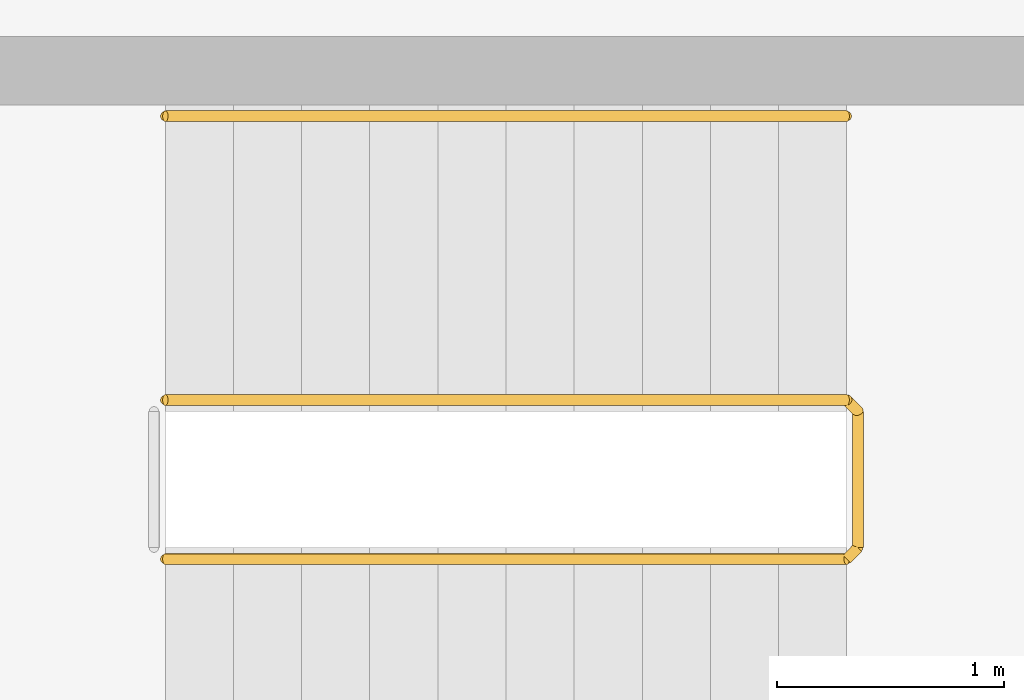
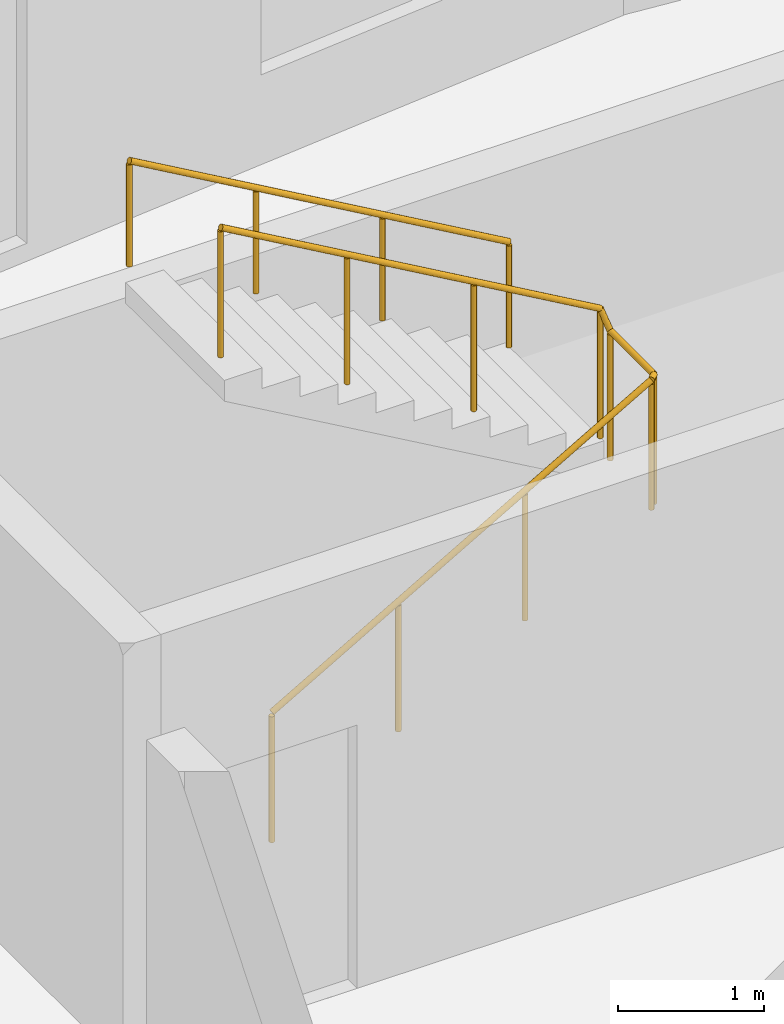
# One storey, part 11 of 11: 2 railings.
"""IFC4 building model written with IfcOpenShell, lengths in metres."""

import ifcopenshell
import ifcopenshell.guid

model = None  # the IFC model being written
_history = None  # IfcOwnerHistory: only IFC2X3 demands one
_inside = {}  # id of a spatial element -> (the spatial element, [elements in it])
_under = {}  # id of a project, library or spatial element -> (it, [spatial elements below it])
_declared = {}  # id of a project -> (the project, [libraries it declares])
_typed = {}  # id of a type object -> (the type object, [elements of that type])
_made_of = {}  # id of a material, layer set ... -> (it, [elements and type objects made of it])


def new_model(schema):
    """Start an empty IFC model of exactly this schema.

    Asked for "IFC4X3", IfcOpenShell would pick the latest addendum, in which some entities
    have other attributes; the version numbers below select the first issue.
    IFC2X3 requires an IfcOwnerHistory on every rooted entity: one is made here for all.
    """
    global model, _history
    if schema == "IFC4X3":
        model = ifcopenshell.file(schema_version=(4, 3, 0, 0))
    else:
        model = ifcopenshell.file(schema=schema)
    _inside.clear()
    _under.clear()
    _declared.clear()
    _typed.clear()
    _made_of.clear()
    _history = None
    if model.schema == "IFC2X3":
        org = make("IfcOrganization", Name="unknown")
        user = make(
            "IfcPersonAndOrganization",
            ThePerson=make("IfcPerson", FamilyName="unknown"),
            TheOrganization=org,
        )
        app = make(
            "IfcApplication",
            ApplicationDeveloper=org,
            Version="unknown",
            ApplicationFullName="unknown",
            ApplicationIdentifier="unknown",
        )
        _history = make(
            "IfcOwnerHistory",
            OwningUser=user,
            OwningApplication=app,
            ChangeAction="ADDED",
            CreationDate=0,
        )
    return model


def make(cls, **values):
    """One entity of the class cls with the attributes given. An attribute that is None is left unset."""
    return model.create_entity(
        cls, **{name: value for name, value in values.items() if value is not None}
    )


def rooted(cls, **values):
    """An entity with a GlobalId (a new one), such as an element, a storey or a relation."""
    return make(cls, GlobalId=ifcopenshell.guid.new(), OwnerHistory=_history, **values)


def si_unit(unit_type, name, prefix=None):
    """IfcSIUnit, for example si_unit("LENGTHUNIT", "METRE", prefix="MILLI")."""
    return make("IfcSIUnit", UnitType=unit_type, Prefix=prefix, Name=name)


def assignment(units):
    """IfcUnitAssignment: the units of a project."""
    return None if units is None else make("IfcUnitAssignment", Units=units)


def point(xyz):
    """IfcCartesianPoint."""
    return None if xyz is None else make("IfcCartesianPoint", Coordinates=xyz)


def direction(xyz):
    """IfcDirection."""
    return None if xyz is None else make("IfcDirection", DirectionRatios=xyz)


def frame(location, z_axis=None, x_axis=None):
    """IfcAxis2Placement3D, a coordinate frame: its origin and axes. An axis left out is left unset."""
    return make(
        "IfcAxis2Placement3D",
        Location=point(location),
        Axis=direction(z_axis),
        RefDirection=direction(x_axis),
    )


def frame_2d(location, x_axis=None):
    """IfcAxis2Placement2D, a coordinate frame in the plane: its origin and x axis."""
    return make(
        "IfcAxis2Placement2D", Location=point(location), RefDirection=direction(x_axis)
    )


def origin():
    """The frame at (0, 0, 0) with its axes left unset."""
    return frame((0.0, 0.0, 0.0))


def origin_2d():
    """The frame at (0, 0) in the plane with its x axis left unset."""
    return frame_2d((0.0, 0.0))


def place(relative_to, where):
    """IfcLocalPlacement: puts the frame where relative to a parent placement (None: the world)."""
    return make(
        "IfcLocalPlacement", PlacementRelTo=relative_to, RelativePlacement=where
    )


def context(
    kind, dimensions, precision=None, world=None, true_north=None, identifier=None
):
    """IfcGeometricRepresentationContext, for example the 3D "Model" context."""
    return make(
        "IfcGeometricRepresentationContext",
        ContextIdentifier=identifier,
        ContextType=kind,
        CoordinateSpaceDimension=dimensions,
        Precision=precision,
        WorldCoordinateSystem=world,
        TrueNorth=true_north,
    )


def subcontext(parent, identifier, kind, view, scale=None):
    """IfcGeometricRepresentationSubContext, for example "Body" below "Model"."""
    return make(
        "IfcGeometricRepresentationSubContext",
        ContextIdentifier=identifier,
        ContextType=kind,
        ParentContext=parent,
        TargetScale=scale,
        TargetView=view,
    )


def project(units=None, contexts=None):
    """IfcProject with its units and contexts."""
    return rooted(
        "IfcProject",
        Name="project",
        RepresentationContexts=contexts,
        UnitsInContext=assignment(units),
    )


def spatial(cls, under=None, at=None, **own):
    """A site, building, storey or space (cls), placed at a placement, below another one or the project."""
    s = rooted(cls, ObjectPlacement=at, **own)
    if under is not None:
        _under.setdefault(under.id(), (under, []))[1].append(s)
    return s


def profile(cls, at=None, kind="AREA", **sizes):
    """A parametric profile (cls). Its sizes go by their IFC names, for example OverallWidth=200.0."""
    return make(cls, ProfileType=kind, Position=at, **sizes)


def circle(**sizes):
    """IfcCircleProfileDef."""
    return profile("IfcCircleProfileDef", **sizes)


def extrude(swept, where, along, depth):
    """IfcExtrudedAreaSolid: the profile swept, set in the frame where, extruded along a direction by depth."""
    return make(
        "IfcExtrudedAreaSolid",
        SweptArea=swept,
        Position=where,
        ExtrudedDirection=direction(along),
        Depth=depth,
    )


def shape(context_of_items, identifier, shape_type, items):
    """IfcShapeRepresentation: the items that make up one representation, for example the "Body"."""
    return make(
        "IfcShapeRepresentation",
        ContextOfItems=context_of_items,
        RepresentationIdentifier=identifier,
        RepresentationType=shape_type,
        Items=items,
    )


def material(Name=None, Category=None):
    """IfcMaterial."""
    return make("IfcMaterial", Name=Name, Category=Category)


def made_of(thing, what):
    """Note that an element or type object is made of a material, layer set ...; save() writes the relation."""
    if what is not None:
        _made_of.setdefault(what.id(), (what, []))[1].append(thing)
    return thing


def type_object(cls, material=None, **own):
    """A type object (cls), such as IfcWallType, which elements share."""
    return made_of(rooted(cls, **own), material)


def element(
    cls,
    number,
    at=None,
    inside=None,
    cuts=None,
    type_object=None,
    material=None,
    context=None,
    identifier="Body",
    shape_type=None,
    held_by="IfcProductDefinitionShape",
    body=None,
    shapes=None,
    **own,
):
    """One element of the class cls, such as IfcWall. Its Tag is "e" and its number.

    at: its placement. inside: the storey or other place that contains it. cuts: it is an
    opening in that element (IfcRelVoidsElement). A single representation is given by context,
    identifier, shape_type and body (its items); several are given by shapes. held_by: the class
    of the entity that holds the representations. save() writes the other relations.
    """
    e = rooted(cls, Tag="e%d" % number, ObjectPlacement=at, **own)
    if body is not None:
        shapes = [shape(context, identifier, shape_type, body)]
    if shapes is not None:
        e.Representation = make(held_by, Representations=shapes)
    if inside is not None:
        _inside.setdefault(inside.id(), (inside, []))[1].append(e)
    if cuts is not None:
        rooted(
            "IfcRelVoidsElement", RelatingBuildingElement=cuts, RelatedOpeningElement=e
        )
    if type_object is not None:
        _typed.setdefault(type_object.id(), (type_object, []))[1].append(e)
    return made_of(e, material)


def aggregate(whole, parts):
    """IfcRelAggregates: a whole, such as a stair, and the parts it consists of."""
    return rooted("IfcRelAggregates", RelatingObject=whole, RelatedObjects=parts)


def save(model, path):
    """Write the relations noted so far, then the file.

    IfcRelAggregates (storeys below a building ...), IfcRelContainedInSpatialStructure (elements
    in a storey), IfcRelDefinesByType, IfcRelAssociatesMaterial and IfcRelDeclares: one each for
    every whole, place, type object, material and project.
    """
    for whole, parts in _under.values():
        aggregate(whole, parts)
    for where, things in _inside.values():
        rooted(
            "IfcRelContainedInSpatialStructure",
            RelatedElements=things,
            RelatingStructure=where,
        )
    for kind, things in _typed.values():
        rooted("IfcRelDefinesByType", RelatedObjects=things, RelatingType=kind)
    for what, things in _made_of.values():
        rooted("IfcRelAssociatesMaterial", RelatedObjects=things, RelatingMaterial=what)
    for by, libraries in _declared.values():
        rooted("IfcRelDeclares", RelatingContext=by, RelatedDefinitions=libraries)
    model.write(path)


model = new_model("IFC4")

# Units and contexts
model_context = context("Model", 3, precision=1e-05, world=origin(), true_north=direction((0.0, 1.0)))
body_context = subcontext(model_context, "Body", "Model", "MODEL_VIEW")
ifc_project = project(units=[si_unit("LENGTHUNIT", "METRE"), si_unit("AREAUNIT", "SQUARE_METRE"), si_unit("VOLUMEUNIT", "CUBIC_METRE"), si_unit("PLANEANGLEUNIT", "RADIAN"), si_unit("MASSUNIT", "GRAM", prefix="KILO")], contexts=[model_context])

# Site, building, storey
site_placement = place(None, origin())
site = spatial("IfcSite", under=ifc_project, at=site_placement, CompositionType="ELEMENT")
building_placement = place(site_placement, origin())
building = spatial("IfcBuilding", under=site, at=building_placement, Name="Brondeck Convention Tower", CompositionType="ELEMENT")
storey_placement = place(building_placement, frame((0.0, 0.0, 118.89990234375)))
storey = spatial("IfcBuildingStorey", under=building, at=storey_placement, Name="L28", CompositionType="ELEMENT", Elevation=118.89990234375)

# Railings
ifc_material = material(Name="Steel S355", Category="steel")
railing_type_1 = type_object("IfcRailingType", Name="Stair guard 1100", PredefinedType="GUARDRAIL", material=ifc_material)
railing_1_placement = place(storey_placement, frame((37.85009765625, 55.449951171875, 0.1728515625)))
element("IfcRailing", 1, at=railing_1_placement, inside=storey, type_object=railing_type_1, Name="L28 ST-AE stair guard 1", PredefinedType="GUARDRAIL", context=body_context, shape_type="SweptSolid", body=[
    extrude(circle(Radius=0.02392578125, at=origin_2d()), frame((0.0, 0.0, 1.076171875), z_axis=(0.866619684472, 0.0, 0.498969260062), x_axis=(0.0, 1.0, 0.0)), (0.0, 0.0, 1.0), 3.461669921875),
    extrude(circle(Radius=0.02392578125, at=origin_2d()), frame((3.0, 0.0, 2.80322265625), z_axis=(0.705375805398, 0.708833529934, 0.0), x_axis=(-0.708833529934, 0.705375805398, 0.0)), (0.0, 0.0, 1.0), 0.070556640625),
    extrude(circle(Radius=0.02392578125, at=origin_2d()), frame((3.0498046875, 0.050048828125, 2.80322265625), z_axis=(0.0, 1.0, 0.0), x_axis=(-1.0, 0.0, 0.0)), (0.0, 0.0, 1.0), 0.60009765625),
    extrude(circle(Radius=0.02392578125, at=origin_2d()), frame((3.0498046875, 0.650146484375, 2.80322265625), z_axis=(-0.26715648603, 0.26715648603, 0.925880566782), x_axis=(-0.707106781187, -0.707106781187, 0.0)), (0.0, 0.0, 1.0), 0.1865234375),
    extrude(circle(Radius=0.02392578125, at=origin_2d()), frame((3.0, 0.699951171875, 2.97607421875), z_axis=(-0.866619684472, 0.0, 0.498969260062), x_axis=(0.0, -1.0, 0.0)), (0.0, 0.0, 1.0), 3.461669921875),
    extrude(circle(Radius=0.02099609375, at=origin_2d()), origin(), (0.0, 0.0, 1.0), 1.052001953125),
    extrude(circle(Radius=0.02099609375, at=origin_2d()), frame((1.0, 0.0, 0.57568359375)), (0.0, 0.0, 1.0), 1.052001953125),
    extrude(circle(Radius=0.02099609375, at=origin_2d()), frame((2.0, 0.0, 1.151611328125)), (0.0, 0.0, 1.0), 1.052001953125),
    extrude(circle(Radius=0.02099609375, at=origin_2d()), frame((3.0, 0.0, 1.727294921875)), (0.0, 0.0, 1.0), 1.052001953125),
    extrude(circle(Radius=0.02099609375, at=origin_2d()), frame((3.0498046875, 0.050048828125, 1.727294921875)), (0.0, 0.0, 1.0), 1.052001953125),
    extrude(circle(Radius=0.02099609375, at=origin_2d()), frame((3.0498046875, 0.650146484375, 1.727294921875)), (0.0, 0.0, 1.0), 1.052001953125),
    extrude(circle(Radius=0.02099609375, at=origin_2d()), frame((3.0, 0.699951171875, 1.89990234375)), (0.0, 0.0, 1.0), 1.052001953125),
    extrude(circle(Radius=0.02099609375, at=origin_2d()), frame((2.0, 0.699951171875, 2.4755859375)), (0.0, 0.0, 1.0), 1.052001953125),
    extrude(circle(Radius=0.02099609375, at=origin_2d()), frame((1.0, 0.699951171875, 3.051513671875)), (0.0, 0.0, 1.0), 1.052001953125),
    extrude(circle(Radius=0.02099609375, at=origin_2d()), frame((0.0, 0.699951171875, 3.627197265625)), (0.0, 0.0, 1.0), 1.052001953125),
])
railing_type_2 = type_object("IfcRailingType", Name="Stair handrail", PredefinedType="HANDRAIL", material=ifc_material)
railing_2_placement = place(storey_placement, frame((40.85009765625, 57.39990234375, 2.07275390625)))
element("IfcRailing", 2, at=railing_2_placement, inside=storey, type_object=railing_type_2, Name="L28 ST-AE stair handrail 2", PredefinedType="HANDRAIL", context=body_context, shape_type="SweptSolid", body=[
    extrude(circle(Radius=0.02392578125, at=origin_2d()), frame((0.0, 0.0, 0.8759765625), z_axis=(-0.866619684472, 0.0, 0.498969260062), x_axis=(0.0, -1.0, 0.0)), (0.0, 0.0, 1.0), 3.461669921875),
    extrude(circle(Radius=0.02099609375, at=origin_2d()), origin(), (0.0, 0.0, 1.0), 0.851806640625),
    extrude(circle(Radius=0.02099609375, at=origin_2d()), frame((-1.0, 0.0, 0.57568359375)), (0.0, 0.0, 1.0), 0.851806640625),
    extrude(circle(Radius=0.02099609375, at=origin_2d()), frame((-2.0, 0.0, 1.151611328125)), (0.0, 0.0, 1.0), 0.851806640625),
    extrude(circle(Radius=0.02099609375, at=origin_2d()), frame((-3.0, 0.0, 1.727294921875)), (0.0, 0.0, 1.0), 0.851806640625),
])

save(model, "model.ifc")
